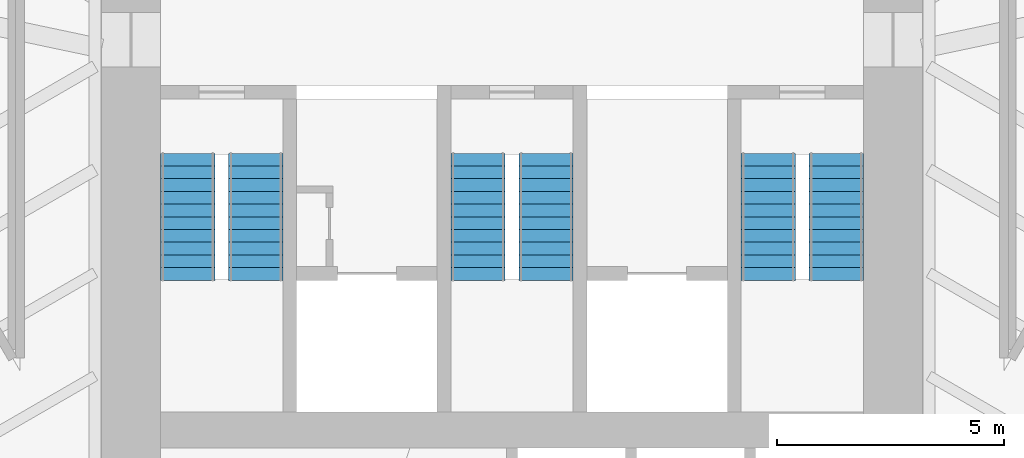
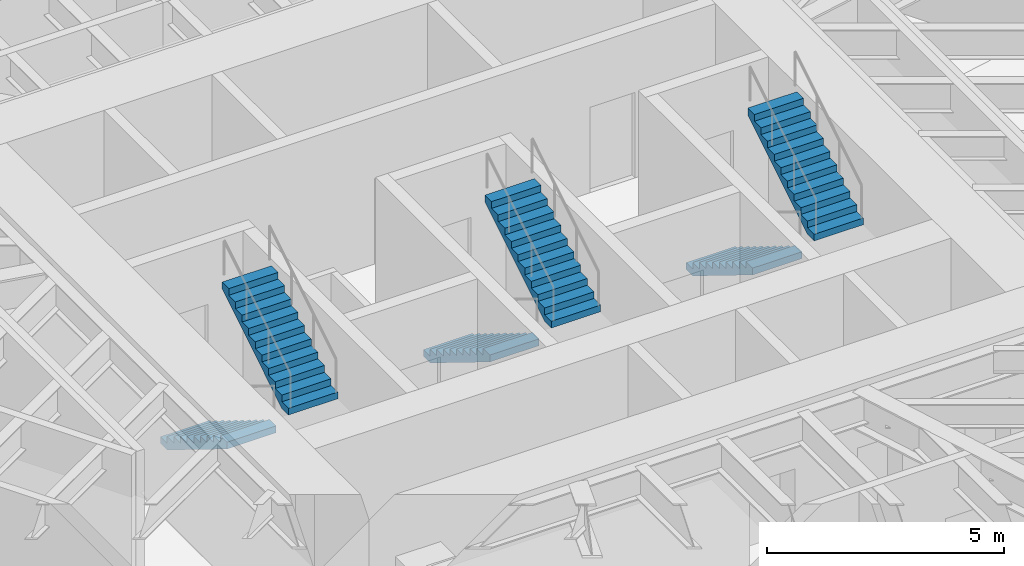
# One storey, part 16 of 17: 6 stair flights, 3 elements without a shape of their own.
"""IFC4 building model written with IfcOpenShell, lengths in metres."""

from ifc_helpers import new_model, si_unit, direction, frame, origin, place, context, subcontext, project, spatial, polyline, outline, extrude, material, type_object, element, aggregate, save


model = new_model("IFC4")

# Units and contexts
model_context = context("Model", 3, precision=1e-05, world=origin(), true_north=direction((0.0, 1.0)))
body_context = subcontext(model_context, "Body", "Model", "MODEL_VIEW")
ifc_project = project(units=[si_unit("LENGTHUNIT", "METRE"), si_unit("AREAUNIT", "SQUARE_METRE"), si_unit("VOLUMEUNIT", "CUBIC_METRE"), si_unit("PLANEANGLEUNIT", "RADIAN"), si_unit("MASSUNIT", "GRAM", prefix="KILO")], contexts=[model_context])

# Site, building, storey
site_placement = place(None, origin())
site = spatial("IfcSite", under=ifc_project, at=site_placement, CompositionType="ELEMENT")
building_placement = place(site_placement, origin())
building = spatial("IfcBuilding", under=site, at=building_placement, Name="Sandreach Pilgrim Tower", CompositionType="ELEMENT")
storey_placement = place(building_placement, frame((0.0, 0.0, 100.60009765625)))
storey = spatial("IfcBuildingStorey", under=building, at=storey_placement, Name="L24", CompositionType="ELEMENT", Elevation=100.60009765625)

# Stair, stair flights
ifc_material_1 = material(Name="Concrete 8000 psi", Category="concrete")
stair_type = type_object("IfcStairType", Name="Core exit stair", PredefinedType="HALF_TURN_STAIR", material=ifc_material_1)
stair_1_placement = place(storey_placement, origin())
stair_1 = element("IfcStair", 1, at=stair_1_placement, inside=storey, type_object=stair_type, Name="Exit stair ST1 L24", PredefinedType="HALF_TURN_STAIR")
ifc_material_2 = material(Name="Concrete 8000 psi", Category="concrete")
stair_flight_type = type_object("IfcStairFlightType", Name="Core stair flight 1200", PredefinedType="STRAIGHT", material=ifc_material_2)
stair_flight_1_placement = place(storey_placement, frame((-7.14990234375, -0.39990234375, 0.0), z_axis=(0.0, 0.0, 1.0), x_axis=(0.0, -1.0, 0.0)))
stair_flight_1 = element("IfcStairFlight", 2, at=stair_flight_1_placement, type_object=stair_flight_type, Name="ST1 flight 1", NumberOfRisers=11, NumberOfTreads=10, PredefinedType="STRAIGHT", RiserHeight=0.172727273, TreadLength=0.28, context=body_context, shape_type="SweptSolid", body=[
    extrude(outline(polyline([(0.0, 0.0), (0.0, 0.172607421875), (0.280029296875, 0.172607421875), (0.280029296875, 0.345458984375), (0.56005859375, 0.345458984375), (0.56005859375, 0.51806640625), (0.840087890625, 0.51806640625), (0.840087890625, 0.69091796875), (1.1201171875, 0.69091796875), (1.1201171875, 0.863525390625), (1.39990234375, 0.863525390625), (1.39990234375, 1.036376953125), (1.679931640625, 1.036376953125), (1.679931640625, 1.208984375), (1.9599609375, 1.208984375), (1.9599609375, 1.3818359375), (2.239990234375, 1.3818359375), (2.239990234375, 1.554443359375), (2.52001953125, 1.554443359375), (2.52001953125, 1.727294921875), (2.800048828125, 1.727294921875), (2.800048828125, 1.89990234375), (2.800048828125, 1.551025390625), (0.285400390625, 0.0), (0.0, 0.0)])), frame((0.0, 0.60009765625, 0.0), z_axis=(0.0, -1.0, 0.0), x_axis=(1.0, 0.0, 0.0)), (0.0, 0.0, 1.0), 1.199951171875),
])
stair_flight_2_placement = place(storey_placement, frame((-5.64990234375, -3.199951171875, 1.89990234375), z_axis=(0.0, 0.0, 1.0), x_axis=(0.0, 1.0, 0.0)))
stair_flight_2 = element("IfcStairFlight", 3, at=stair_flight_2_placement, type_object=stair_flight_type, Name="ST1 flight 2", NumberOfRisers=11, NumberOfTreads=10, PredefinedType="STRAIGHT", RiserHeight=0.172727273, TreadLength=0.28, context=body_context, shape_type="SweptSolid", body=[
    extrude(outline(polyline([(0.0, 0.0), (0.0, 0.172607421875), (0.280029296875, 0.172607421875), (0.280029296875, 0.345458984375), (0.56005859375, 0.345458984375), (0.56005859375, 0.51806640625), (0.840087890625, 0.51806640625), (0.840087890625, 0.69091796875), (1.1201171875, 0.69091796875), (1.1201171875, 0.863525390625), (1.39990234375, 0.863525390625), (1.39990234375, 1.036376953125), (1.679931640625, 1.036376953125), (1.679931640625, 1.208984375), (1.9599609375, 1.208984375), (1.9599609375, 1.3818359375), (2.239990234375, 1.3818359375), (2.239990234375, 1.554443359375), (2.52001953125, 1.554443359375), (2.52001953125, 1.727294921875), (2.800048828125, 1.727294921875), (2.800048828125, 1.89990234375), (2.800048828125, 1.551025390625), (0.285400390625, 0.0), (0.0, 0.0)])), frame((0.0, 0.60009765625, 0.0), z_axis=(0.0, -1.0, 0.0), x_axis=(1.0, 0.0, 0.0)), (0.0, 0.0, 1.0), 1.199951171875),
])
aggregate(stair_1, [stair_flight_1, stair_flight_2])

stair_2_placement = place(storey_placement, origin())
stair_2 = element("IfcStair", 4, at=stair_2_placement, inside=storey, type_object=stair_type, Name="Exit stair ST3 L24", PredefinedType="HALF_TURN_STAIR")
stair_flight_3_placement = place(storey_placement, frame((-0.75, -0.39990234375, 0.0), z_axis=(0.0, 0.0, 1.0), x_axis=(0.0, -1.0, 0.0)))
stair_flight_3 = element("IfcStairFlight", 5, at=stair_flight_3_placement, type_object=stair_flight_type, Name="ST3 flight 1", NumberOfRisers=11, NumberOfTreads=10, PredefinedType="STRAIGHT", RiserHeight=0.172727273, TreadLength=0.28, context=body_context, shape_type="SweptSolid", body=[
    extrude(outline(polyline([(0.0, 0.0), (0.0, 0.172607421875), (0.280029296875, 0.172607421875), (0.280029296875, 0.345458984375), (0.56005859375, 0.345458984375), (0.56005859375, 0.51806640625), (0.840087890625, 0.51806640625), (0.840087890625, 0.69091796875), (1.1201171875, 0.69091796875), (1.1201171875, 0.863525390625), (1.39990234375, 0.863525390625), (1.39990234375, 1.036376953125), (1.679931640625, 1.036376953125), (1.679931640625, 1.208984375), (1.9599609375, 1.208984375), (1.9599609375, 1.3818359375), (2.239990234375, 1.3818359375), (2.239990234375, 1.554443359375), (2.52001953125, 1.554443359375), (2.52001953125, 1.727294921875), (2.800048828125, 1.727294921875), (2.800048828125, 1.89990234375), (2.800048828125, 1.551025390625), (0.285400390625, 0.0), (0.0, 0.0)])), frame((0.0, 0.60009765625, 0.0), z_axis=(0.0, -1.0, 0.0), x_axis=(1.0, 0.0, 0.0)), (0.0, 0.0, 1.0), 1.199951171875),
])
stair_flight_4_placement = place(storey_placement, frame((0.75, -3.199951171875, 1.89990234375), z_axis=(0.0, 0.0, 1.0), x_axis=(0.0, 1.0, 0.0)))
stair_flight_4 = element("IfcStairFlight", 6, at=stair_flight_4_placement, type_object=stair_flight_type, Name="ST3 flight 2", NumberOfRisers=11, NumberOfTreads=10, PredefinedType="STRAIGHT", RiserHeight=0.172727273, TreadLength=0.28, context=body_context, shape_type="SweptSolid", body=[
    extrude(outline(polyline([(0.0, 0.0), (0.0, 0.172607421875), (0.280029296875, 0.172607421875), (0.280029296875, 0.345458984375), (0.56005859375, 0.345458984375), (0.56005859375, 0.51806640625), (0.840087890625, 0.51806640625), (0.840087890625, 0.69091796875), (1.1201171875, 0.69091796875), (1.1201171875, 0.863525390625), (1.39990234375, 0.863525390625), (1.39990234375, 1.036376953125), (1.679931640625, 1.036376953125), (1.679931640625, 1.208984375), (1.9599609375, 1.208984375), (1.9599609375, 1.3818359375), (2.239990234375, 1.3818359375), (2.239990234375, 1.554443359375), (2.52001953125, 1.554443359375), (2.52001953125, 1.727294921875), (2.800048828125, 1.727294921875), (2.800048828125, 1.89990234375), (2.800048828125, 1.551025390625), (0.285400390625, 0.0), (0.0, 0.0)])), frame((0.0, 0.60009765625, 0.0), z_axis=(0.0, -1.0, 0.0), x_axis=(1.0, 0.0, 0.0)), (0.0, 0.0, 1.0), 1.199951171875),
])
aggregate(stair_2, [stair_flight_3, stair_flight_4])

stair_3_placement = place(storey_placement, origin())
stair_3 = element("IfcStair", 7, at=stair_3_placement, inside=storey, type_object=stair_type, Name="Exit stair ST2 L24", PredefinedType="HALF_TURN_STAIR")
stair_flight_5_placement = place(storey_placement, frame((5.64990234375, -0.39990234375, 0.0), z_axis=(0.0, 0.0, 1.0), x_axis=(0.0, -1.0, 0.0)))
stair_flight_5 = element("IfcStairFlight", 8, at=stair_flight_5_placement, type_object=stair_flight_type, Name="ST2 flight 1", NumberOfRisers=11, NumberOfTreads=10, PredefinedType="STRAIGHT", RiserHeight=0.172727273, TreadLength=0.28, context=body_context, shape_type="SweptSolid", body=[
    extrude(outline(polyline([(0.0, 0.0), (0.0, 0.172607421875), (0.280029296875, 0.172607421875), (0.280029296875, 0.345458984375), (0.56005859375, 0.345458984375), (0.56005859375, 0.51806640625), (0.840087890625, 0.51806640625), (0.840087890625, 0.69091796875), (1.1201171875, 0.69091796875), (1.1201171875, 0.863525390625), (1.39990234375, 0.863525390625), (1.39990234375, 1.036376953125), (1.679931640625, 1.036376953125), (1.679931640625, 1.208984375), (1.9599609375, 1.208984375), (1.9599609375, 1.3818359375), (2.239990234375, 1.3818359375), (2.239990234375, 1.554443359375), (2.52001953125, 1.554443359375), (2.52001953125, 1.727294921875), (2.800048828125, 1.727294921875), (2.800048828125, 1.89990234375), (2.800048828125, 1.551025390625), (0.285400390625, 0.0), (0.0, 0.0)])), frame((0.0, 0.60009765625, 0.0), z_axis=(0.0, -1.0, 0.0), x_axis=(1.0, 0.0, 0.0)), (0.0, 0.0, 1.0), 1.199951171875),
])
stair_flight_6_placement = place(storey_placement, frame((7.14990234375, -3.199951171875, 1.89990234375), z_axis=(0.0, 0.0, 1.0), x_axis=(0.0, 1.0, 0.0)))
stair_flight_6 = element("IfcStairFlight", 9, at=stair_flight_6_placement, type_object=stair_flight_type, Name="ST2 flight 2", NumberOfRisers=11, NumberOfTreads=10, PredefinedType="STRAIGHT", RiserHeight=0.172727273, TreadLength=0.28, context=body_context, shape_type="SweptSolid", body=[
    extrude(outline(polyline([(0.0, 0.0), (0.0, 0.172607421875), (0.280029296875, 0.172607421875), (0.280029296875, 0.345458984375), (0.56005859375, 0.345458984375), (0.56005859375, 0.51806640625), (0.840087890625, 0.51806640625), (0.840087890625, 0.69091796875), (1.1201171875, 0.69091796875), (1.1201171875, 0.863525390625), (1.39990234375, 0.863525390625), (1.39990234375, 1.036376953125), (1.679931640625, 1.036376953125), (1.679931640625, 1.208984375), (1.9599609375, 1.208984375), (1.9599609375, 1.3818359375), (2.239990234375, 1.3818359375), (2.239990234375, 1.554443359375), (2.52001953125, 1.554443359375), (2.52001953125, 1.727294921875), (2.800048828125, 1.727294921875), (2.800048828125, 1.89990234375), (2.800048828125, 1.551025390625), (0.285400390625, 0.0), (0.0, 0.0)])), frame((0.0, 0.60009765625, 0.0), z_axis=(0.0, -1.0, 0.0), x_axis=(1.0, 0.0, 0.0)), (0.0, 0.0, 1.0), 1.199951171875),
])
aggregate(stair_3, [stair_flight_5, stair_flight_6])

save(model, "model.ifc")
